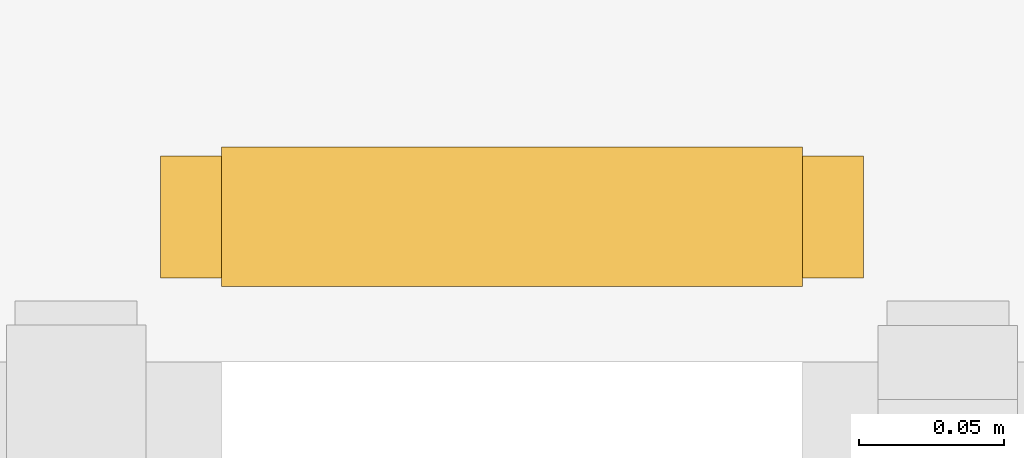
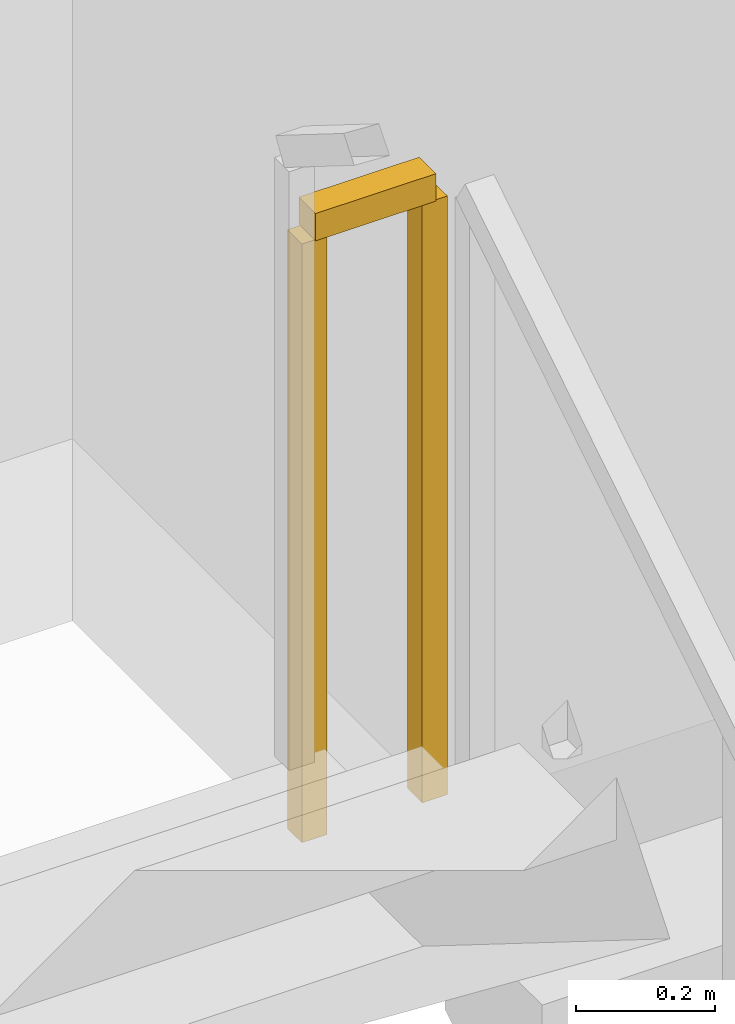
# One storey, part 22 of 22: 1 railing.
"""IFC4 building model written with IfcOpenShell, lengths in metres."""

from ifc_helpers import new_model, si_unit, direction, frame, origin, origin_2d, place, context, subcontext, project, spatial, rectangle, extrude, material, type_object, element, save


model = new_model("IFC4")

# Units and contexts
model_context = context("Model", 3, precision=1e-05, world=origin(), true_north=direction((0.0, 1.0)))
body_context = subcontext(model_context, "Body", "Model", "MODEL_VIEW")
ifc_project = project(units=[si_unit("LENGTHUNIT", "METRE"), si_unit("AREAUNIT", "SQUARE_METRE"), si_unit("VOLUMEUNIT", "CUBIC_METRE"), si_unit("PLANEANGLEUNIT", "RADIAN"), si_unit("MASSUNIT", "GRAM", prefix="KILO")], contexts=[model_context])

# Site, building, storey
site_placement = place(None, origin())
site = spatial("IfcSite", under=ifc_project, at=site_placement, CompositionType="ELEMENT")
building_placement = place(site_placement, origin())
building = spatial("IfcBuilding", under=site, at=building_placement, Name="Kiyonajd Concourse Tower", CompositionType="ELEMENT")
storey_placement = place(building_placement, frame((0.0, 0.0, 4.5)))
storey = spatial("IfcBuildingStorey", under=building, at=storey_placement, Name="L02", CompositionType="ELEMENT", Elevation=4.5)

# Railing
ifc_material = material(Name="Steel ASTM A500 Grade C", Category="steel")
railing_type = type_object("IfcRailingType", Name="RL-GRD-STR", PredefinedType="GUARDRAIL", material=ifc_material)
railing_placement = place(storey_placement, frame((84.89990234375, 32.780029296875, 2.10009765625)))
element("IfcRailing", 1, at=railing_placement, inside=storey, type_object=railing_type, Name="L02 ST5 stair guard 2", PredefinedType="GUARDRAIL", context=body_context, shape_type="SweptSolid", body=[
    extrude(rectangle(XDim=0.048095703125, YDim=0.048095703125, at=origin_2d()), frame((0.0, 0.0, 1.076171875), z_axis=(-1.0, 0.0, 0.0), x_axis=(0.0, -1.0, 0.0)), (0.0, 0.0, 1.0), 0.199951171875),
    extrude(rectangle(XDim=0.0419921875, YDim=0.0419921875, at=origin_2d()), origin(), (0.0, 0.0, 1.0), 1.052001953125),
    extrude(rectangle(XDim=0.0419921875, YDim=0.0419921875, at=origin_2d()), frame((-0.199951171875, 0.0, 0.0)), (0.0, 0.0, 1.0), 1.052001953125),
])

save(model, "model.ifc")
